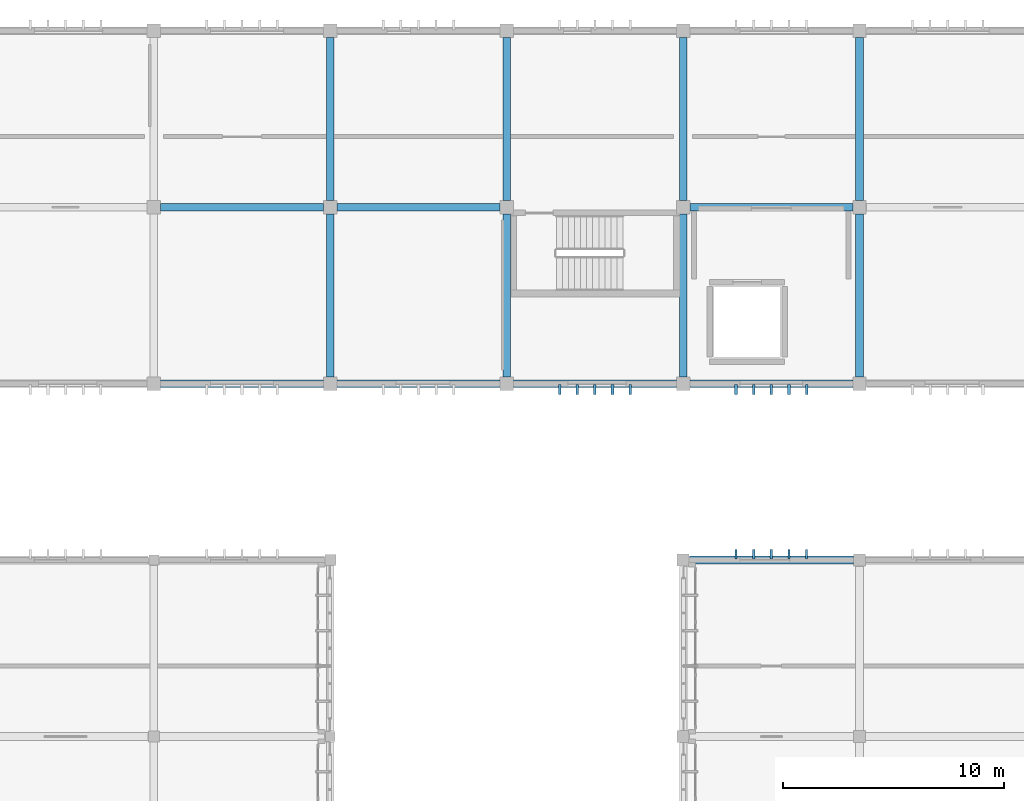
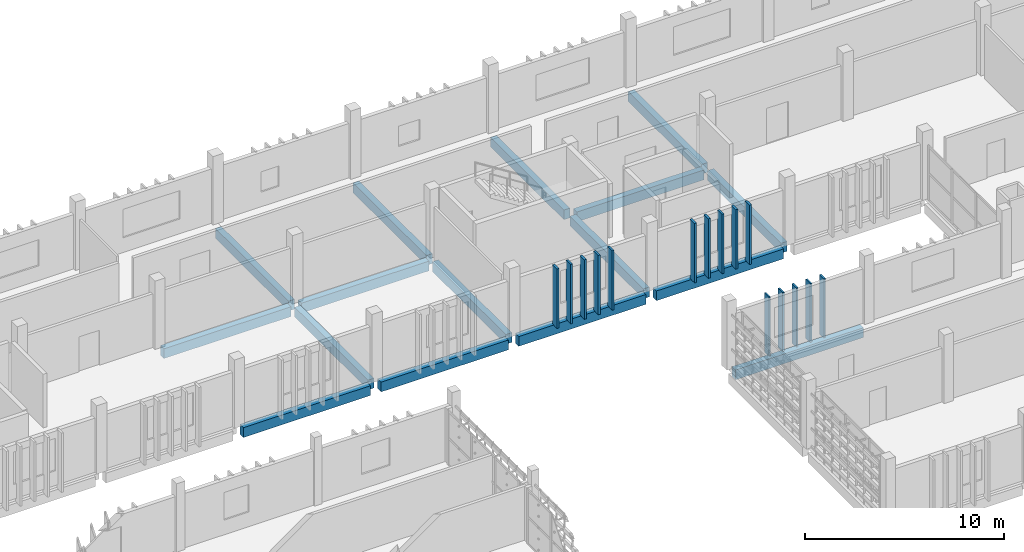
# One storey, part 16 of 48: 16 beams, 15 members.
"""IFC4 building model written with IfcOpenShell, lengths in metres."""

from ifc_helpers import new_model, si_unit, direction, frame, origin, origin_2d, place, context, subcontext, project, spatial, rectangle, extrude, material, material_profile, profile_set, type_object, element, save


model = new_model("IFC4")

# Units and contexts
model_context = context("Model", 3, precision=1e-05, world=origin(), true_north=direction((0.0, 1.0)))
body_context = subcontext(model_context, "Body", "Model", "MODEL_VIEW")
ifc_project = project(units=[si_unit("LENGTHUNIT", "METRE"), si_unit("AREAUNIT", "SQUARE_METRE"), si_unit("VOLUMEUNIT", "CUBIC_METRE"), si_unit("PLANEANGLEUNIT", "RADIAN"), si_unit("MASSUNIT", "GRAM", prefix="KILO")], contexts=[model_context])

# Site, building, storey
site_placement = place(None, origin())
site = spatial("IfcSite", under=ifc_project, at=site_placement, CompositionType="ELEMENT")
building_placement = place(site_placement, origin())
building = spatial("IfcBuilding", under=site, at=building_placement, Name="Jelvoka-Kovrelna Polytechnic", CompositionType="ELEMENT")
storey_placement = place(building_placement, frame((0.0, 0.0, 22.199951171875)))
storey = spatial("IfcBuildingStorey", under=building, at=storey_placement, Name="L06", CompositionType="ELEMENT", Elevation=22.199951171875)

# Beams
ifc_material_1 = material(Name="Concrete C35/45", Category="concrete")
ifc_material_profile_1 = material_profile(ifc_material_1, rectangle(XDim=0.35009765625, YDim=0.60009765625, at=origin_2d()), Name="RC 350x600")
ifc_profile_set_1 = profile_set([ifc_material_profile_1], Name="Concrete C35/45")
beam_type_1 = type_object("IfcBeamType", Name="Beam_RC_350x600", PredefinedType="BEAM", material=ifc_profile_set_1)
for number, where, z_axis, x_axis, name in (
    (1, (104.304931640625, 64.0, -0.5400390625), (1.0, 0.0, 0.0), (0.0, 1.0, 0.0), "L06 beam 1708"),
    (2, (112.0, 56.304931640625, -0.5400390625), (0.0, 1.0, 0.0), (-1.0, 0.0, 0.0), "L06 beam 1727"),
    (3, (112.0, 64.304931640625, -0.5400390625), (0.0, 1.0, 0.0), (-1.0, 0.0, 0.0), "L06 beam 1728"),
    (4, (112.304931640625, 64.0, -0.5400390625), (1.0, 0.0, 0.0), (0.0, 1.0, 0.0), "L06 beam 1738"),
    (5, (128.304931640625, 64.0, -0.5400390625), (1.0, 0.0, 0.0), (0.0, 1.0, 0.0), "L06 beam 1739"),
    (6, (120.0, 56.304931640625, -0.5400390625), (0.0, 1.0, 0.0), (-1.0, 0.0, 0.0), "L06 beam 1754"),
    (7, (120.0, 64.304931640625, -0.5400390625), (0.0, 1.0, 0.0), (-1.0, 0.0, 0.0), "L06 beam 1755"),
    (8, (128.0, 56.304931640625, -0.5400390625), (0.0, 1.0, 0.0), (-1.0, 0.0, 0.0), "L06 beam 1756"),
    (9, (128.0, 64.304931640625, -0.5400390625), (0.0, 1.0, 0.0), (-1.0, 0.0, 0.0), "L06 beam 1757"),
    (10, (136.0, 56.304931640625, -0.5400390625), (0.0, 1.0, 0.0), (-1.0, 0.0, 0.0), "L06 beam 1758"),
    (11, (136.0, 64.304931640625, -0.5400390625), (0.0, 1.0, 0.0), (-1.0, 0.0, 0.0), "L06 beam 1759"),
):
    element("IfcBeam", number, at=place(storey_placement, frame(where, z_axis=z_axis, x_axis=x_axis)), inside=storey, type_object=beam_type_1, Name=name, PredefinedType="BEAM", context=body_context, shape_type="SweptSolid", body=[
        extrude(rectangle(XDim=0.35009765625, YDim=0.60009765625, at=origin_2d()), origin(), (0.0, 0.0, 1.0), 7.39013671875),
    ])

# Members
ifc_material_2 = material(Name="Precast concrete C40/50", Category="concrete")
ifc_material_profile_2 = material_profile(ifc_material_2, rectangle(XDim=0.10009765625, YDim=0.449951171875, at=origin_2d()), Name="PC 100x450")
ifc_profile_set_2 = profile_set([ifc_material_profile_2], Name="Precast concrete C40/50")
member_type_1 = type_object("IfcMemberType", Name="Louvre_Fin_100x450", PredefinedType="USERDEFINED", material=ifc_profile_set_2)
for number, where, z_axis, x_axis, name in (
    (12, (130.39990234375, 48.264892578125, -0.27001953125), (0.0, 0.0, 1.0), (1.0, 0.0, 0.0), "L06 B2E north vertical solar louvre fin 1081"),
    (13, (131.199951171875, 48.264892578125, -0.27001953125), (0.0, 0.0, 1.0), (1.0, 0.0, 0.0), "L06 B2E north vertical solar louvre fin 1082"),
    (14, (132.0, 48.264892578125, -0.27001953125), (0.0, 0.0, 1.0), (1.0, 0.0, 0.0), "L06 B2E north vertical solar louvre fin 1083"),
    (15, (132.800048828125, 48.264892578125, -0.27001953125), (0.0, 0.0, 1.0), (1.0, 0.0, 0.0), "L06 B2E north vertical solar louvre fin 1084"),
    (16, (133.60009765625, 48.264892578125, -0.27001953125), (0.0, 0.0, 1.0), (1.0, 0.0, 0.0), "L06 B2E north vertical solar louvre fin 1085"),
):
    element("IfcMember", number, at=place(storey_placement, frame(where, z_axis=z_axis, x_axis=x_axis)), inside=storey, type_object=member_type_1, Name=name, ObjectType="SUNSHADE", PredefinedType="USERDEFINED", context=body_context, shape_type="SweptSolid", body=[
        extrude(rectangle(XDim=0.10009765625, YDim=0.449951171875, at=origin_2d()), origin(), (0.0, 0.0, 1.0), 3.655029296875),
    ])
ifc_material_3 = material(Name="Precast concrete C40/50", Category="concrete")
ifc_material_profile_3 = material_profile(ifc_material_3, rectangle(XDim=0.1201171875, YDim=0.449951171875, at=origin_2d()), Name="PC 120x450")
ifc_profile_set_3 = profile_set([ifc_material_profile_3], Name="Precast concrete C40/50")
member_type_2 = type_object("IfcMemberType", Name="Louvre_Fin_120x450", PredefinedType="USERDEFINED", material=ifc_profile_set_3)
for number, where, z_axis, x_axis, name in (
    (17, (122.39990234375, 55.735107421875, -0.27001953125), (0.0, 0.0, 1.0), (1.0, 0.0, 0.0), "L06 B3 south vertical solar louvre fin 2006"),
    (18, (123.199951171875, 55.735107421875, -0.27001953125), (0.0, 0.0, 1.0), (1.0, 0.0, 0.0), "L06 B3 south vertical solar louvre fin 2007"),
    (19, (124.0, 55.735107421875, -0.27001953125), (0.0, 0.0, 1.0), (1.0, 0.0, 0.0), "L06 B3 south vertical solar louvre fin 2008"),
    (20, (124.800048828125, 55.735107421875, -0.27001953125), (0.0, 0.0, 1.0), (1.0, 0.0, 0.0), "L06 B3 south vertical solar louvre fin 2009"),
    (21, (125.60009765625, 55.735107421875, -0.27001953125), (0.0, 0.0, 1.0), (1.0, 0.0, 0.0), "L06 B3 south vertical solar louvre fin 2010"),
    (22, (130.39990234375, 55.735107421875, -0.27001953125), (0.0, 0.0, 1.0), (1.0, 0.0, 0.0), "L06 B3 south vertical solar louvre fin 2016"),
    (23, (131.199951171875, 55.735107421875, -0.27001953125), (0.0, 0.0, 1.0), (1.0, 0.0, 0.0), "L06 B3 south vertical solar louvre fin 2017"),
    (24, (132.0, 55.735107421875, -0.27001953125), (0.0, 0.0, 1.0), (1.0, 0.0, 0.0), "L06 B3 south vertical solar louvre fin 2018"),
    (25, (132.800048828125, 55.735107421875, -0.27001953125), (0.0, 0.0, 1.0), (1.0, 0.0, 0.0), "L06 B3 south vertical solar louvre fin 2019"),
    (26, (133.60009765625, 55.735107421875, -0.27001953125), (0.0, 0.0, 1.0), (1.0, 0.0, 0.0), "L06 B3 south vertical solar louvre fin 2020"),
):
    element("IfcMember", number, at=place(storey_placement, frame(where, z_axis=z_axis, x_axis=x_axis)), inside=storey, type_object=member_type_2, Name=name, ObjectType="SUNSHADE", PredefinedType="USERDEFINED", context=body_context, shape_type="SweptSolid", body=[
        extrude(rectangle(XDim=0.1201171875, YDim=0.449951171875, at=origin_2d()), origin(), (0.0, 0.0, 1.0), 3.655029296875),
    ])

# Beams
ifc_material_4 = material(Name="Concrete C40/50", Category="concrete")
ifc_material_profile_4 = material_profile(ifc_material_4, rectangle(XDim=0.35009765625, YDim=0.60009765625, at=origin_2d()), Name="RC 350x600")
ifc_profile_set_4 = profile_set([ifc_material_profile_4], Name="Concrete C40/50")
beam_type_2 = type_object("IfcBeamType", Name="Spandrel_RC_350x600", PredefinedType="SPANDREL", material=ifc_profile_set_4)
beam_placement = place(storey_placement, frame((128.280029296875, 48.0, -0.5400390625), z_axis=(1.0, 0.0, 0.0), x_axis=(0.0, 1.0, 0.0)))
element("IfcBeam", 27, at=beam_placement, inside=storey, type_object=beam_type_2, Name="L06 beam 1669", PredefinedType="SPANDREL", context=body_context, shape_type="SweptSolid", body=[
    extrude(rectangle(XDim=0.35009765625, YDim=0.60009765625, at=origin_2d()), origin(), (0.0, 0.0, 1.0), 7.43994140625),
])
for number, where, z_axis, x_axis, name in (
    (28, (104.304931640625, 56.0, -0.5400390625), (1.0, 0.0, 0.0), (0.0, 1.0, 0.0), "L06 beam 1703"),
    (29, (112.304931640625, 56.0, -0.5400390625), (1.0, 0.0, 0.0), (0.0, 1.0, 0.0), "L06 beam 1729"),
    (30, (120.304931640625, 56.0, -0.5400390625), (1.0, 0.0, 0.0), (0.0, 1.0, 0.0), "L06 beam 1730"),
    (31, (128.304931640625, 56.0, -0.5400390625), (1.0, 0.0, 0.0), (0.0, 1.0, 0.0), "L06 beam 1731"),
):
    element("IfcBeam", number, at=place(storey_placement, frame(where, z_axis=z_axis, x_axis=x_axis)), inside=storey, type_object=beam_type_2, Name=name, PredefinedType="SPANDREL", context=body_context, shape_type="SweptSolid", body=[
        extrude(rectangle(XDim=0.35009765625, YDim=0.60009765625, at=origin_2d()), origin(), (0.0, 0.0, 1.0), 7.39013671875),
    ])

save(model, "model.ifc")
